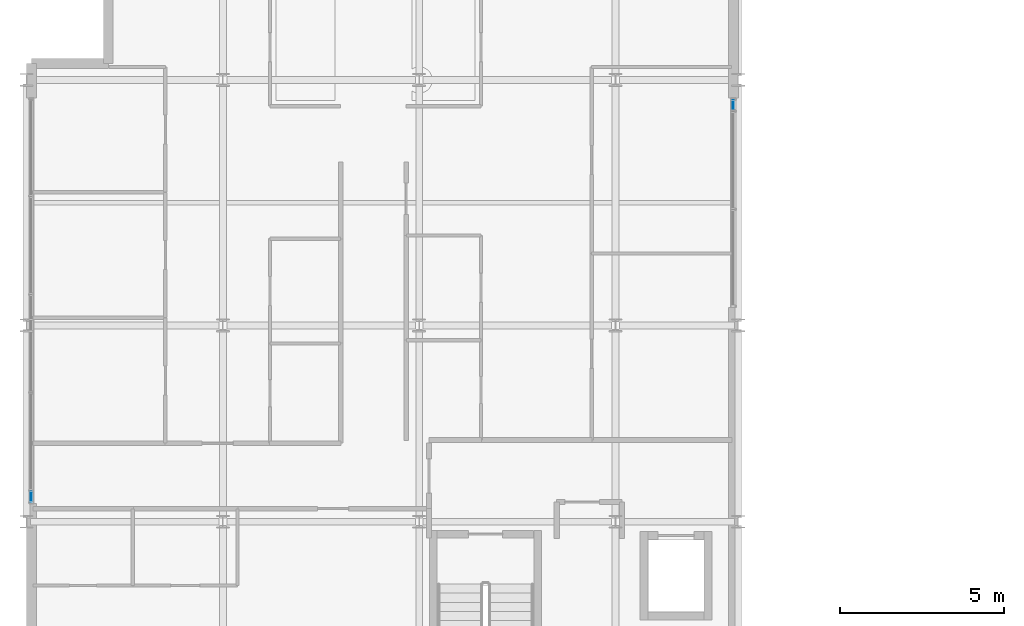
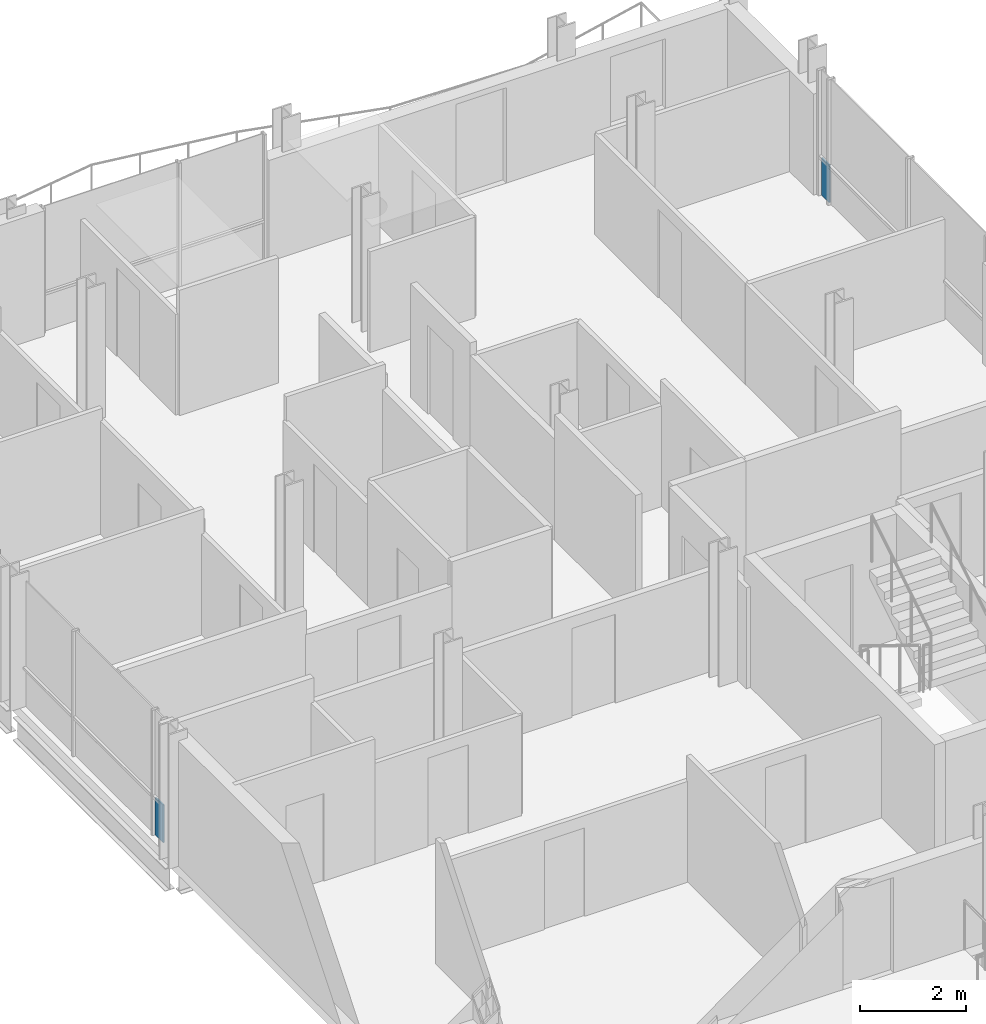
# One storey, part 20 of 27: 2 plates, 2 elements without a shape of their own.
"""IFC4 building model written with IfcOpenShell, lengths in metres."""

from ifc_helpers import new_model, si_unit, direction, frame, origin, origin_2d, place, context, subcontext, project, spatial, rectangle, extrude, material, layer, layer_set, type_object, element, aggregate, save


model = new_model("IFC4")

# Units and contexts
model_context = context("Model", 3, precision=1e-05, world=origin(), true_north=direction((0.0, 1.0)))
body_context = subcontext(model_context, "Body", "Model", "MODEL_VIEW")
ifc_project = project(units=[si_unit("LENGTHUNIT", "METRE"), si_unit("AREAUNIT", "SQUARE_METRE"), si_unit("VOLUMEUNIT", "CUBIC_METRE"), si_unit("PLANEANGLEUNIT", "RADIAN"), si_unit("MASSUNIT", "GRAM", prefix="KILO")], contexts=[model_context])

# Site, building, storey
site_placement = place(None, origin())
site = spatial("IfcSite", under=ifc_project, at=site_placement, CompositionType="ELEMENT")
building_placement = place(site_placement, origin())
building = spatial("IfcBuilding", under=site, at=building_placement, Name="Brevholm Reach", CompositionType="ELEMENT")
storey_placement = place(building_placement, frame((0.0, 0.0, 195.60009765625)))
storey = spatial("IfcBuildingStorey", under=building, at=storey_placement, Name="L59", CompositionType="ELEMENT", Elevation=195.60009765625)

# Curtain wall, plate
ifc_material_1 = material(Name="Dark Anodised Aluminium 6063-T6 and Solar-Control Glass", Category="aluminium")
ifc_layer_1 = layer(ifc_material_1, 0.14990234375)
ifc_layer_set_1 = layer_set([ifc_layer_1], Name="Dark Anodised Aluminium 6063-T6 and Solar-Control Glass")
curtain_wall_type_1 = type_object("IfcCurtainWallType", Name="CW-01", PredefinedType="NOTDEFINED", material=ifc_layer_set_1)
curtain_wall_1_placement = place(storey_placement, origin())
curtain_wall_1 = element("IfcCurtainWall", 1, at=curtain_wall_1_placement, inside=storey, type_object=curtain_wall_type_1, Name="L59 Curtain Wall CW-01", PredefinedType="NOTDEFINED")
ifc_material_2 = material(Name="Dark Solar-Control Double-Glazed IGU Glass", Category="glass")
ifc_layer_2 = layer(ifc_material_2, 0.028076171875)
ifc_layer_set_2 = layer_set([ifc_layer_2], Name="Dark Solar-Control Double-Glazed IGU Glass")
plate_type = type_object("IfcPlateType", Name="CWP-GLZ-28", PredefinedType="CURTAIN_PANEL", material=ifc_layer_set_2)
plate_1_placement = place(storey_placement, frame((0.14990234375, 10.766357421875, 0.0), z_axis=(0.0, 0.0, 1.0), x_axis=(0.0, -1.0, 0.0)))
plate_1 = element("IfcPlate", 2, at=plate_1_placement, type_object=plate_type, Name="CP-01 Glazing Panel 5.1", PredefinedType="CURTAIN_PANEL", context=body_context, shape_type="SweptSolid", body=[
    extrude(rectangle(XDim=0.302490234375, YDim=0.028076171875, at=origin_2d()), origin(), (0.0, 0.0, 1.0), 0.867431640625),
])
aggregate(curtain_wall_1, [plate_1])

ifc_material_3 = material(Name="Dark Anodised Aluminium 6063-T6 and Solar-Control Glass", Category="aluminium")
ifc_layer_3 = layer(ifc_material_3, 0.1650390625)
ifc_layer_set_3 = layer_set([ifc_layer_3], Name="Dark Anodised Aluminium 6063-T6 and Solar-Control Glass")
curtain_wall_type_2 = type_object("IfcCurtainWallType", Name="CW-04", PredefinedType="NOTDEFINED", material=ifc_layer_set_3)
curtain_wall_2_placement = place(storey_placement, origin())
curtain_wall_2 = element("IfcCurtainWall", 3, at=curtain_wall_2_placement, inside=storey, type_object=curtain_wall_type_2, Name="L59 Curtain Wall CW-04", PredefinedType="NOTDEFINED")
plate_2_placement = place(storey_placement, frame((21.60009765625, 22.732421875, 0.0), z_axis=(0.0, 0.0, 1.0), x_axis=(0.0, 1.0, 0.0)))
plate_2 = element("IfcPlate", 4, at=plate_2_placement, type_object=plate_type, Name="CP-01 Glazing Panel 3.1", PredefinedType="CURTAIN_PANEL", context=body_context, shape_type="SweptSolid", body=[
    extrude(rectangle(XDim=0.294921875, YDim=0.028076171875, at=origin_2d()), origin(), (0.0, 0.0, 1.0), 0.864990234375),
])
aggregate(curtain_wall_2, [plate_2])

save(model, "model.ifc")
